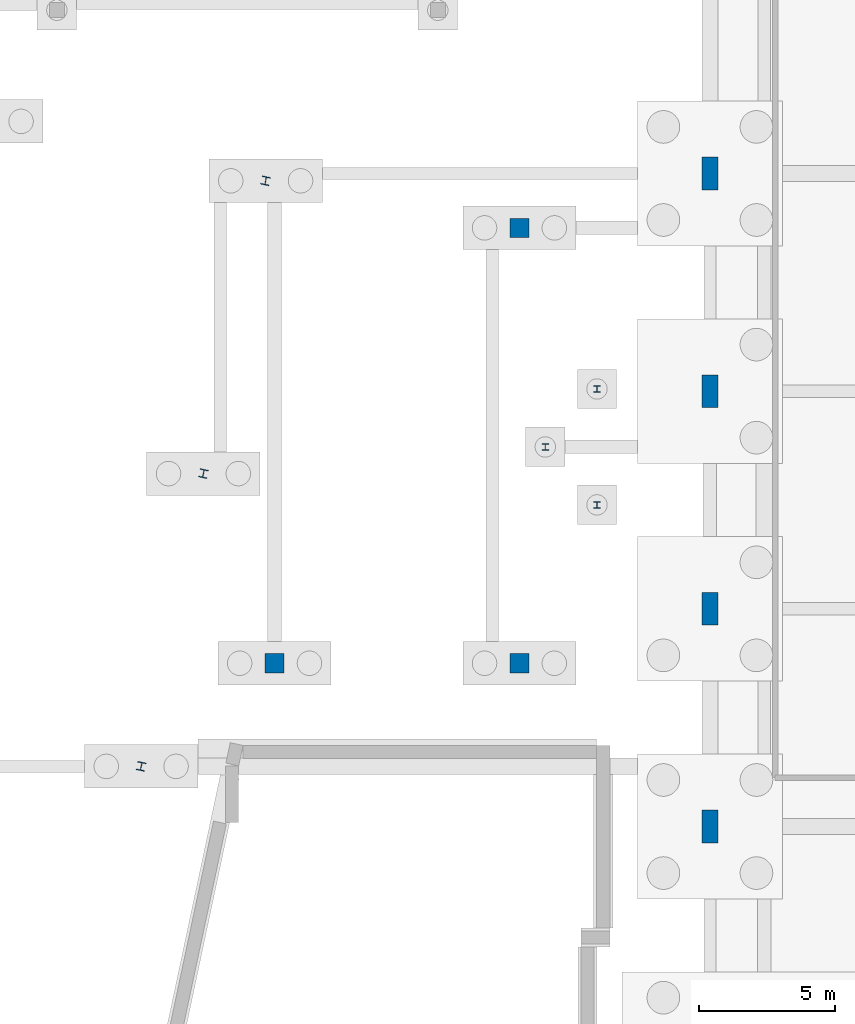
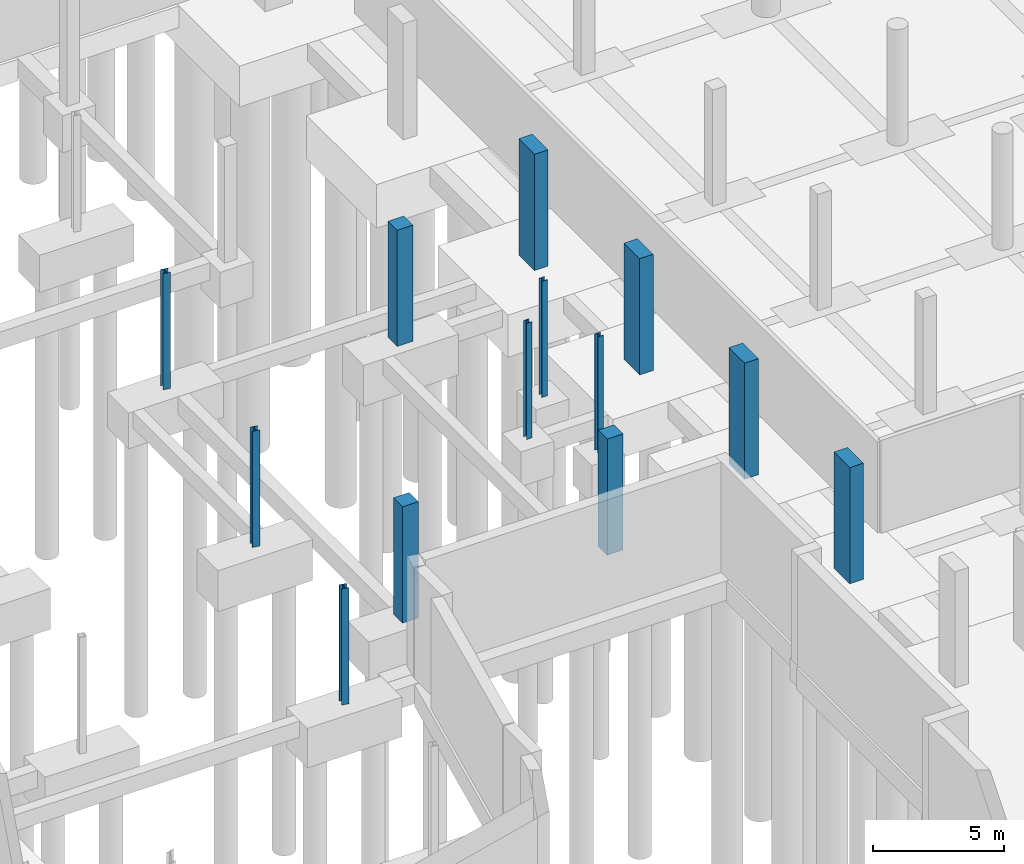
# One storey, part 26 of 65: 13 columns.
"""IFC4 building model written with IfcOpenShell, lengths in metres."""

from ifc_helpers import new_model, si_unit, direction, frame, origin, origin_2d, place, context, subcontext, project, spatial, rectangle, i_section, extrude, material, material_profile, profile_set, type_object, element, save


model = new_model("IFC4")

# Units and contexts
model_context = context("Model", 3, precision=1e-05, world=origin(), true_north=direction((0.0, 1.0)))
body_context = subcontext(model_context, "Body", "Model", "MODEL_VIEW")
ifc_project = project(units=[si_unit("LENGTHUNIT", "METRE"), si_unit("AREAUNIT", "SQUARE_METRE"), si_unit("VOLUMEUNIT", "CUBIC_METRE"), si_unit("PLANEANGLEUNIT", "RADIAN"), si_unit("MASSUNIT", "GRAM", prefix="KILO")], contexts=[model_context])

# Site, building, storey
site_placement = place(None, origin())
site = spatial("IfcSite", under=ifc_project, at=site_placement, CompositionType="ELEMENT")
building_placement = place(site_placement, origin())
building = spatial("IfcBuilding", under=site, at=building_placement, Name="Khorjan Park Terminus", CompositionType="ELEMENT")
storey_placement = place(building_placement, frame((0.0, 0.0, -5.4)))
storey = spatial("IfcBuildingStorey", under=building, at=storey_placement, Name="B1", CompositionType="ELEMENT", Elevation=-5.4)

# Columns
ifc_material_1 = material(Name="Concrete C50/60", Category="concrete")
ifc_material_profile_1 = material_profile(ifc_material_1, rectangle(XDim=0.6, YDim=1.2, at=origin_2d()), Name="RC 600x1200")
ifc_profile_set_1 = profile_set([ifc_material_profile_1], Name="Concrete C50/60")
column_type_1 = type_object("IfcColumnType", Name="COL-BL1200", PredefinedType="COLUMN", material=ifc_profile_set_1)
for number, where, z_axis, x_axis, name in (
    (1, (48.0, 44.0, 0.0), (0.0, 0.0, 1.0), (1.0, 0.0, 0.0), "Structural column C-BL12 (B1 #240)"),
    (2, (48.0, 52.0, 0.0), (0.0, 0.0, 1.0), (1.0, 0.0, 0.0), "Structural column C-BL12 (B1 #245)"),
    (3, (48.0, 60.0, 0.0), (0.0, 0.0, 1.0), (1.0, 0.0, 0.0), "Structural column C-BL12 (B1 #250)"),
    (4, (48.0, 68.0, 0.0), (0.0, 0.0, 1.0), (1.0, 0.0, 0.0), "Structural column C-BL12 (B1 #255)"),
):
    element("IfcColumn", number, at=place(storey_placement, frame(where, z_axis=z_axis, x_axis=x_axis)), inside=storey, type_object=column_type_1, Name=name, PredefinedType="COLUMN", context=body_context, shape_type="SweptSolid", body=[
        extrude(rectangle(XDim=0.6, YDim=1.2, at=origin_2d()), origin(), (0.0, 0.0, 1.0), 5.4),
    ])
ifc_material_2 = material(Name="Steel S355", Category="steel")
ifc_material_profile_2 = material_profile(ifc_material_2, i_section(OverallWidth=0.24, OverallDepth=0.24, WebThickness=0.01, FlangeThickness=0.017, FilletRadius=0.021, at=origin_2d()), Name="HEB 240")
ifc_profile_set_2 = profile_set([ifc_material_profile_2], Name="Steel S355")
column_type_2 = type_object("IfcColumnType", Name="COL-HB240", PredefinedType="COLUMN", material=ifc_profile_set_2)
for number, where, z_axis, x_axis, name in (
    (5, (43.85, 55.82, 0.0), (0.0, 0.0, 1.0), (1.0, 0.0, 0.0), "Structural column SC-H24 (B1 #1047)"),
    (6, (43.85, 60.08, 0.0), (0.0, 0.0, 1.0), (1.0, 0.0, 0.0), "Structural column SC-H24 (B1 #1049)"),
    (7, (41.95, 57.95, 0.0), (0.0, 0.0, 1.0), (1.0, 0.0, 0.0), "Structural column SC-H24 (B1 #1051)"),
):
    element("IfcColumn", number, at=place(storey_placement, frame(where, z_axis=z_axis, x_axis=x_axis)), inside=storey, type_object=column_type_2, Name=name, PredefinedType="COLUMN", context=body_context, shape_type="SweptSolid", body=[
        extrude(i_section(OverallWidth=0.24, OverallDepth=0.24, WebThickness=0.01, FlangeThickness=0.017, FilletRadius=0.021, at=origin_2d()), origin(), (0.0, 0.0, 1.0), 5.4),
    ])
ifc_material_profile_3 = material_profile(ifc_material_2, i_section(OverallWidth=0.3, OverallDepth=0.3, WebThickness=0.011, FlangeThickness=0.019, FilletRadius=0.027, at=origin_2d()), Name="HEB 300")
ifc_profile_set_3 = profile_set([ifc_material_profile_3], Name="Steel S355")
column_type_3 = type_object("IfcColumnType", Name="COL-HB300E", PredefinedType="COLUMN", material=ifc_profile_set_3)
for number, where, z_axis, x_axis, name in (
    (8, (27.099, 46.21, 0.0), (0.0, 0.0, 1.0), (0.978147600734, -0.207911690818, 0.0), "Structural column SC-H30 (B1 #641)"),
    (9, (29.386, 56.97, 0.0), (0.0, 0.0, 1.0), (0.978147600734, -0.207911690818, 0.0), "Structural column SC-H30 (B1 #644)"),
    (10, (31.673, 67.73, 0.0), (0.0, 0.0, 1.0), (0.978147600734, -0.207911690818, 0.0), "Structural column SC-H30 (B1 #647)"),
):
    element("IfcColumn", number, at=place(storey_placement, frame(where, z_axis=z_axis, x_axis=x_axis)), inside=storey, type_object=column_type_3, Name=name, PredefinedType="COLUMN", context=body_context, shape_type="SweptSolid", body=[
        extrude(i_section(OverallWidth=0.3, OverallDepth=0.3, WebThickness=0.011, FlangeThickness=0.019, FilletRadius=0.027, at=origin_2d()), origin(), (0.0, 0.0, 1.0), 5.4),
    ])
ifc_material_3 = material(Name="Concrete C40/50", Category="concrete")
ifc_material_profile_4 = material_profile(ifc_material_3, rectangle(XDim=0.7, YDim=0.7, at=origin_2d()), Name="RC 700x700")
ifc_profile_set_4 = profile_set([ifc_material_profile_4], Name="Concrete C40/50")
column_type_4 = type_object("IfcColumnType", Name="COL-RC700", PredefinedType="COLUMN", material=ifc_profile_set_4)
for number, where, z_axis, x_axis, name in (
    (11, (32.0, 50.0, 0.0), (0.0, 0.0, 1.0), (1.0, 0.0, 0.0), "Structural column C-RC07 (B1 #652)"),
    (12, (41.0, 50.0, 0.0), (0.0, 0.0, 1.0), (1.0, 0.0, 0.0), "Structural column C-RC07 (B1 #655)"),
    (13, (41.0, 66.0, 0.0), (0.0, 0.0, 1.0), (1.0, 0.0, 0.0), "Structural column C-RC07 (B1 #658)"),
):
    element("IfcColumn", number, at=place(storey_placement, frame(where, z_axis=z_axis, x_axis=x_axis)), inside=storey, type_object=column_type_4, Name=name, PredefinedType="COLUMN", context=body_context, shape_type="SweptSolid", body=[
        extrude(rectangle(XDim=0.7, YDim=0.7, at=origin_2d()), origin(), (0.0, 0.0, 1.0), 5.4),
    ])

save(model, "model.ifc")
